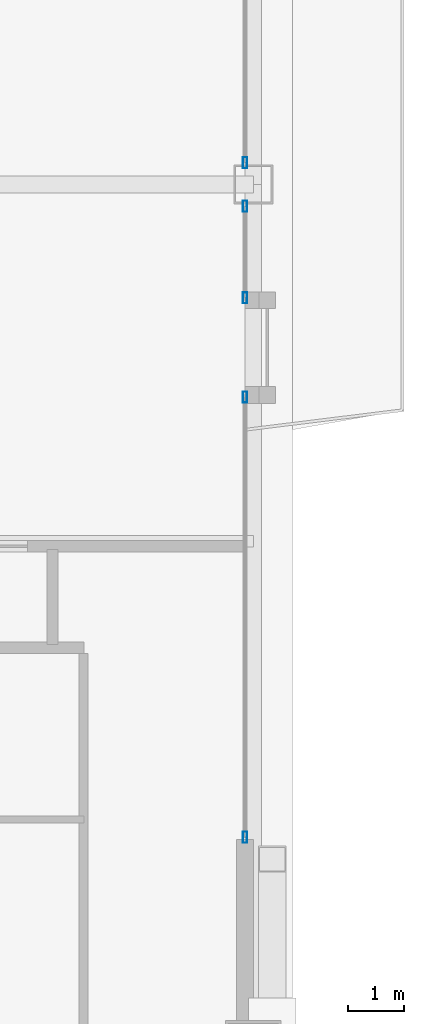
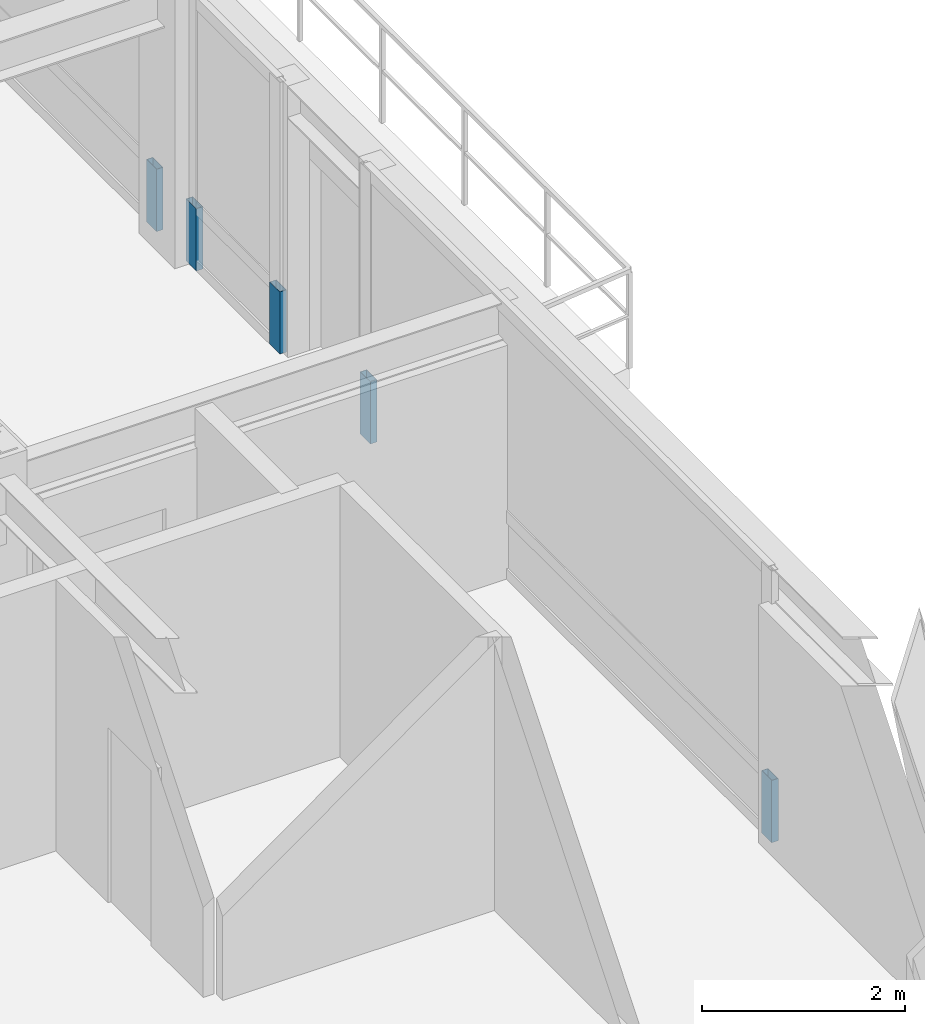
# One storey, part 24 of 35: 5 members, 3 elements without a shape of their own.
"""IFC4 building model written with IfcOpenShell, lengths in metres."""

import ifcopenshell
import ifcopenshell.guid

model = None  # the IFC model being written
_history = None  # IfcOwnerHistory: only IFC2X3 demands one
_inside = {}  # id of a spatial element -> (the spatial element, [elements in it])
_under = {}  # id of a project, library or spatial element -> (it, [spatial elements below it])
_declared = {}  # id of a project -> (the project, [libraries it declares])
_typed = {}  # id of a type object -> (the type object, [elements of that type])
_made_of = {}  # id of a material, layer set ... -> (it, [elements and type objects made of it])


def new_model(schema):
    """Start an empty IFC model of exactly this schema.

    Asked for "IFC4X3", IfcOpenShell would pick the latest addendum, in which some entities
    have other attributes; the version numbers below select the first issue.
    IFC2X3 requires an IfcOwnerHistory on every rooted entity: one is made here for all.
    """
    global model, _history
    if schema == "IFC4X3":
        model = ifcopenshell.file(schema_version=(4, 3, 0, 0))
    else:
        model = ifcopenshell.file(schema=schema)
    _inside.clear()
    _under.clear()
    _declared.clear()
    _typed.clear()
    _made_of.clear()
    _history = None
    if model.schema == "IFC2X3":
        org = make("IfcOrganization", Name="unknown")
        user = make(
            "IfcPersonAndOrganization",
            ThePerson=make("IfcPerson", FamilyName="unknown"),
            TheOrganization=org,
        )
        app = make(
            "IfcApplication",
            ApplicationDeveloper=org,
            Version="unknown",
            ApplicationFullName="unknown",
            ApplicationIdentifier="unknown",
        )
        _history = make(
            "IfcOwnerHistory",
            OwningUser=user,
            OwningApplication=app,
            ChangeAction="ADDED",
            CreationDate=0,
        )
    return model


def make(cls, **values):
    """One entity of the class cls with the attributes given. An attribute that is None is left unset."""
    return model.create_entity(
        cls, **{name: value for name, value in values.items() if value is not None}
    )


def rooted(cls, **values):
    """An entity with a GlobalId (a new one), such as an element, a storey or a relation."""
    return make(cls, GlobalId=ifcopenshell.guid.new(), OwnerHistory=_history, **values)


def si_unit(unit_type, name, prefix=None):
    """IfcSIUnit, for example si_unit("LENGTHUNIT", "METRE", prefix="MILLI")."""
    return make("IfcSIUnit", UnitType=unit_type, Prefix=prefix, Name=name)


def assignment(units):
    """IfcUnitAssignment: the units of a project."""
    return None if units is None else make("IfcUnitAssignment", Units=units)


def point(xyz):
    """IfcCartesianPoint."""
    return None if xyz is None else make("IfcCartesianPoint", Coordinates=xyz)


def direction(xyz):
    """IfcDirection."""
    return None if xyz is None else make("IfcDirection", DirectionRatios=xyz)


def frame(location, z_axis=None, x_axis=None):
    """IfcAxis2Placement3D, a coordinate frame: its origin and axes. An axis left out is left unset."""
    return make(
        "IfcAxis2Placement3D",
        Location=point(location),
        Axis=direction(z_axis),
        RefDirection=direction(x_axis),
    )


def frame_2d(location, x_axis=None):
    """IfcAxis2Placement2D, a coordinate frame in the plane: its origin and x axis."""
    return make(
        "IfcAxis2Placement2D", Location=point(location), RefDirection=direction(x_axis)
    )


def origin():
    """The frame at (0, 0, 0) with its axes left unset."""
    return frame((0.0, 0.0, 0.0))


def origin_2d():
    """The frame at (0, 0) in the plane with its x axis left unset."""
    return frame_2d((0.0, 0.0))


def place(relative_to, where):
    """IfcLocalPlacement: puts the frame where relative to a parent placement (None: the world)."""
    return make(
        "IfcLocalPlacement", PlacementRelTo=relative_to, RelativePlacement=where
    )


def context(
    kind, dimensions, precision=None, world=None, true_north=None, identifier=None
):
    """IfcGeometricRepresentationContext, for example the 3D "Model" context."""
    return make(
        "IfcGeometricRepresentationContext",
        ContextIdentifier=identifier,
        ContextType=kind,
        CoordinateSpaceDimension=dimensions,
        Precision=precision,
        WorldCoordinateSystem=world,
        TrueNorth=true_north,
    )


def subcontext(parent, identifier, kind, view, scale=None):
    """IfcGeometricRepresentationSubContext, for example "Body" below "Model"."""
    return make(
        "IfcGeometricRepresentationSubContext",
        ContextIdentifier=identifier,
        ContextType=kind,
        ParentContext=parent,
        TargetScale=scale,
        TargetView=view,
    )


def project(units=None, contexts=None):
    """IfcProject with its units and contexts."""
    return rooted(
        "IfcProject",
        Name="project",
        RepresentationContexts=contexts,
        UnitsInContext=assignment(units),
    )


def spatial(cls, under=None, at=None, **own):
    """A site, building, storey or space (cls), placed at a placement, below another one or the project."""
    s = rooted(cls, ObjectPlacement=at, **own)
    if under is not None:
        _under.setdefault(under.id(), (under, []))[1].append(s)
    return s


def profile(cls, at=None, kind="AREA", **sizes):
    """A parametric profile (cls). Its sizes go by their IFC names, for example OverallWidth=200.0."""
    return make(cls, ProfileType=kind, Position=at, **sizes)


def hollow_rectangle(**sizes):
    """IfcRectangleHollowProfileDef."""
    return profile("IfcRectangleHollowProfileDef", **sizes)


def extrude(swept, where, along, depth):
    """IfcExtrudedAreaSolid: the profile swept, set in the frame where, extruded along a direction by depth."""
    return make(
        "IfcExtrudedAreaSolid",
        SweptArea=swept,
        Position=where,
        ExtrudedDirection=direction(along),
        Depth=depth,
    )


def shape(context_of_items, identifier, shape_type, items):
    """IfcShapeRepresentation: the items that make up one representation, for example the "Body"."""
    return make(
        "IfcShapeRepresentation",
        ContextOfItems=context_of_items,
        RepresentationIdentifier=identifier,
        RepresentationType=shape_type,
        Items=items,
    )


def source(mapping_origin, context_of_items, identifier, shape_type, items):
    """IfcRepresentationMap: a shape defined once, which mapped items show again and again."""
    return make(
        "IfcRepresentationMap",
        MappingOrigin=mapping_origin,
        MappedRepresentation=shape(context_of_items, identifier, shape_type, items),
    )


def transform(
    local_origin,
    x_axis=None,
    y_axis=None,
    z_axis=None,
    scale=None,
    scale2=None,
    scale3=None,
    uniform=True,
):
    """IfcCartesianTransformationOperator3D, or its non-uniform kind. x_axis, y_axis, z_axis: its Axis1, 2, 3."""
    if uniform:
        return make(
            "IfcCartesianTransformationOperator3D",
            Axis1=direction(x_axis),
            Axis2=direction(y_axis),
            LocalOrigin=point(local_origin),
            Scale=scale,
            Axis3=direction(z_axis),
        )
    return make(
        "IfcCartesianTransformationOperator3DnonUniform",
        Axis1=direction(x_axis),
        Axis2=direction(y_axis),
        LocalOrigin=point(local_origin),
        Scale=scale,
        Axis3=direction(z_axis),
        Scale2=scale2,
        Scale3=scale3,
    )


def mapped(mapping_source, mapping_target):
    """IfcMappedItem: shows the shape of a source again, moved by a transform."""
    return make(
        "IfcMappedItem", MappingSource=mapping_source, MappingTarget=mapping_target
    )


def material(Name=None, Category=None):
    """IfcMaterial."""
    return make("IfcMaterial", Name=Name, Category=Category)


def layer(
    of_material, thickness, ventilated=None, Name=None, Category=None, Priority=None
):
    """IfcMaterialLayer: one layer of a wall or slab, of a material (None: an air gap)."""
    return make(
        "IfcMaterialLayer",
        Material=of_material,
        LayerThickness=thickness,
        IsVentilated=ventilated,
        Name=Name,
        Category=Category,
        Priority=Priority,
    )


def layer_set(layers, Name=None):
    """IfcMaterialLayerSet."""
    return make("IfcMaterialLayerSet", MaterialLayers=layers, LayerSetName=Name)


def material_profile(
    of_material, cross_section, Name=None, Category=None, Priority=None
):
    """IfcMaterialProfile: a cross section and its material."""
    return make(
        "IfcMaterialProfile",
        Name=Name,
        Material=of_material,
        Profile=cross_section,
        Priority=Priority,
        Category=Category,
    )


def profile_set(profiles, Name=None, composite=None):
    """IfcMaterialProfileSet."""
    return make(
        "IfcMaterialProfileSet",
        Name=Name,
        MaterialProfiles=profiles,
        CompositeProfile=composite,
    )


def made_of(thing, what):
    """Note that an element or type object is made of a material, layer set ...; save() writes the relation."""
    if what is not None:
        _made_of.setdefault(what.id(), (what, []))[1].append(thing)
    return thing


def type_object(cls, material=None, **own):
    """A type object (cls), such as IfcWallType, which elements share."""
    return made_of(rooted(cls, **own), material)


def element(
    cls,
    number,
    at=None,
    inside=None,
    cuts=None,
    type_object=None,
    material=None,
    context=None,
    identifier="Body",
    shape_type=None,
    held_by="IfcProductDefinitionShape",
    body=None,
    shapes=None,
    **own,
):
    """One element of the class cls, such as IfcWall. Its Tag is "e" and its number.

    at: its placement. inside: the storey or other place that contains it. cuts: it is an
    opening in that element (IfcRelVoidsElement). A single representation is given by context,
    identifier, shape_type and body (its items); several are given by shapes. held_by: the class
    of the entity that holds the representations. save() writes the other relations.
    """
    e = rooted(cls, Tag="e%d" % number, ObjectPlacement=at, **own)
    if body is not None:
        shapes = [shape(context, identifier, shape_type, body)]
    if shapes is not None:
        e.Representation = make(held_by, Representations=shapes)
    if inside is not None:
        _inside.setdefault(inside.id(), (inside, []))[1].append(e)
    if cuts is not None:
        rooted(
            "IfcRelVoidsElement", RelatingBuildingElement=cuts, RelatedOpeningElement=e
        )
    if type_object is not None:
        _typed.setdefault(type_object.id(), (type_object, []))[1].append(e)
    return made_of(e, material)


def aggregate(whole, parts):
    """IfcRelAggregates: a whole, such as a stair, and the parts it consists of."""
    return rooted("IfcRelAggregates", RelatingObject=whole, RelatedObjects=parts)


def save(model, path):
    """Write the relations noted so far, then the file.

    IfcRelAggregates (storeys below a building ...), IfcRelContainedInSpatialStructure (elements
    in a storey), IfcRelDefinesByType, IfcRelAssociatesMaterial and IfcRelDeclares: one each for
    every whole, place, type object, material and project.
    """
    for whole, parts in _under.values():
        aggregate(whole, parts)
    for where, things in _inside.values():
        rooted(
            "IfcRelContainedInSpatialStructure",
            RelatedElements=things,
            RelatingStructure=where,
        )
    for kind, things in _typed.values():
        rooted("IfcRelDefinesByType", RelatedObjects=things, RelatingType=kind)
    for what, things in _made_of.values():
        rooted("IfcRelAssociatesMaterial", RelatedObjects=things, RelatingMaterial=what)
    for by, libraries in _declared.values():
        rooted("IfcRelDeclares", RelatingContext=by, RelatedDefinitions=libraries)
    model.write(path)


model = new_model("IFC4")

# Units and contexts
model_context = context("Model", 3, precision=1e-05, world=origin(), true_north=direction((0.0, 1.0)))
body_context = subcontext(model_context, "Body", "Model", "MODEL_VIEW")
ifc_project = project(units=[si_unit("LENGTHUNIT", "METRE"), si_unit("AREAUNIT", "SQUARE_METRE"), si_unit("VOLUMEUNIT", "CUBIC_METRE"), si_unit("PLANEANGLEUNIT", "RADIAN"), si_unit("MASSUNIT", "GRAM", prefix="KILO"), si_unit("THERMODYNAMICTEMPERATUREUNIT", "KELVIN"), si_unit("POWERUNIT", "WATT")], contexts=[model_context])

# Site, building, storey
site_placement = place(None, origin())
site = spatial("IfcSite", under=ifc_project, at=site_placement, CompositionType="ELEMENT")
building_placement = place(site_placement, origin())
building = spatial("IfcBuilding", under=site, at=building_placement, Name="Yuzanri Waterfront Tower", CompositionType="ELEMENT")
storey_placement = place(building_placement, frame((0.0, 0.0, 335.699951171875)))
storey = spatial("IfcBuildingStorey", under=building, at=storey_placement, Name="L90", CompositionType="ELEMENT", Elevation=335.699951171875)

# Curtain wall, members
ifc_material_1 = material(Name="Anodized Architectural Bronze", Category="metal")
ifc_layer = layer(ifc_material_1, 0.159912109375)
ifc_layer_set = layer_set([ifc_layer], Name="Anodized Architectural Bronze")
curtain_wall_type = type_object("IfcCurtainWallType", Name="Anodized Bronze High-Rise Penthouse High-Wind Unitized Curtain Wall 6900", PredefinedType="NOTDEFINED", material=ifc_layer_set)
curtain_wall_1_placement = place(storey_placement, origin())
curtain_wall_1 = element("IfcCurtainWall", 1, at=curtain_wall_1_placement, inside=storey, type_object=curtain_wall_type, Name="L90 Curtain Wall CW-L90-EL1", PredefinedType="NOTDEFINED")
ifc_material_2 = material(Name="Anodized Architectural Bronze", Category="metal")
ifc_material_profile = material_profile(ifc_material_2, hollow_rectangle(XDim=0.074951171875, YDim=0.199951171875, WallThickness=0.00390625, at=origin_2d()), Name="CWM 75x200")
ifc_profile_set = profile_set([ifc_material_profile], Name="Anodized Architectural Bronze")
member_type = type_object("IfcMemberType", Name="Anodized Bronze Primary Curtain-Wall Mullion 75x200", PredefinedType="MULLION", material=ifc_profile_set)
shared_shape = source(origin(), body_context, "Body", "SweptSolid", [
    extrude(hollow_rectangle(XDim=0.074951171875, YDim=0.199951171875, WallThickness=0.00390625, at=origin_2d()), origin(), (0.0, 0.0, 1.0), 0.748046875),
])
member_1_placement = place(storey_placement, frame((55.949951171875, 14.090087890625, 0.0), z_axis=(0.0, 0.0, 1.0), x_axis=(1.0, 0.0, 0.0)))
member_1 = element("IfcMember", 2, at=member_1_placement, type_object=member_type, Name="CW-L90-EL1 Lower Mullion 00", PredefinedType="MULLION", context=body_context, shape_type="MappedRepresentation", body=[
    mapped(shared_shape, transform((0.0, 0.0, 0.0), scale=1.0)),
])
member_2_placement = place(storey_placement, frame((55.949951171875, 21.985107421875, 0.0), z_axis=(0.0, 0.0, 1.0), x_axis=(1.0, 0.0, 0.0)))
member_2 = element("IfcMember", 3, at=member_2_placement, type_object=member_type, Name="CW-L90-EL1 Lower Mullion 01", PredefinedType="MULLION", context=body_context, shape_type="MappedRepresentation", body=[
    mapped(shared_shape, transform((0.0, 0.0, 0.0), scale=1.0)),
])
aggregate(curtain_wall_1, [member_1, member_2])

curtain_wall_2_placement = place(storey_placement, origin())
curtain_wall_2 = element("IfcCurtainWall", 4, at=curtain_wall_2_placement, inside=storey, type_object=curtain_wall_type, Name="L90 Curtain Wall CW-L90-EL2", PredefinedType="NOTDEFINED")
member_3_placement = place(storey_placement, frame((55.949951171875, 23.764892578125, 0.0), z_axis=(0.0, 0.0, 1.0), x_axis=(1.0, 0.0, 0.0)))
member_3 = element("IfcMember", 5, at=member_3_placement, type_object=member_type, Name="CW-L90-EL2 Lower Mullion 00", PredefinedType="MULLION", context=body_context, shape_type="MappedRepresentation", body=[
    mapped(shared_shape, transform((0.0, 0.0, 0.0), scale=1.0)),
])
member_4_placement = place(storey_placement, frame((55.949951171875, 25.409912109375, 0.0), z_axis=(0.0, 0.0, 1.0), x_axis=(1.0, 0.0, 0.0)))
member_4 = element("IfcMember", 6, at=member_4_placement, type_object=member_type, Name="CW-L90-EL2 Lower Mullion 01", PredefinedType="MULLION", context=body_context, shape_type="MappedRepresentation", body=[
    mapped(shared_shape, transform((0.0, 0.0, 0.0), scale=1.0)),
])
aggregate(curtain_wall_2, [member_3, member_4])

# Curtain wall, member
curtain_wall_3_placement = place(storey_placement, origin())
curtain_wall_3 = element("IfcCurtainWall", 7, at=curtain_wall_3_placement, inside=storey, type_object=curtain_wall_type, Name="L90 Curtain Wall CW-L90-ER", PredefinedType="NOTDEFINED")
member_5_placement = place(storey_placement, frame((55.949951171875, 26.18994140625, 0.0), z_axis=(0.0, 0.0, 1.0), x_axis=(1.0, 0.0, 0.0)))
member_5 = element("IfcMember", 8, at=member_5_placement, type_object=member_type, Name="CW-L90-ER Lower Mullion 00", PredefinedType="MULLION", context=body_context, shape_type="MappedRepresentation", body=[
    mapped(shared_shape, transform((0.0, 0.0, 0.0), scale=1.0)),
])
aggregate(curtain_wall_3, [member_5])

save(model, "model.ifc")
